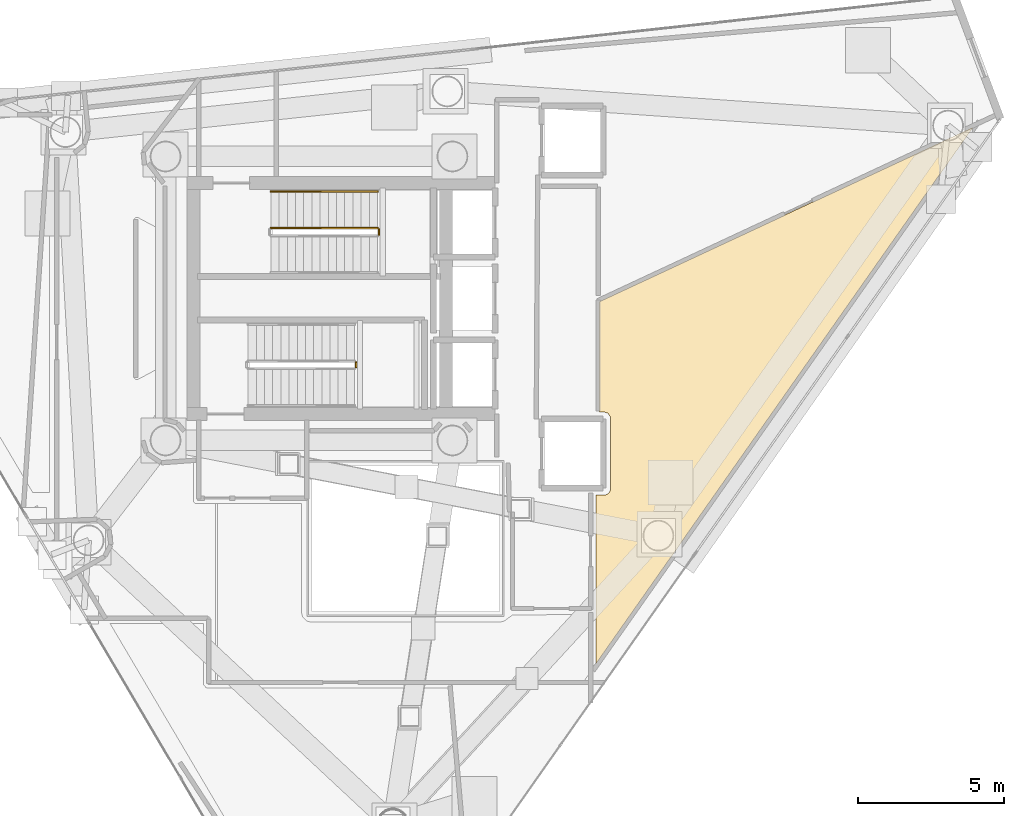
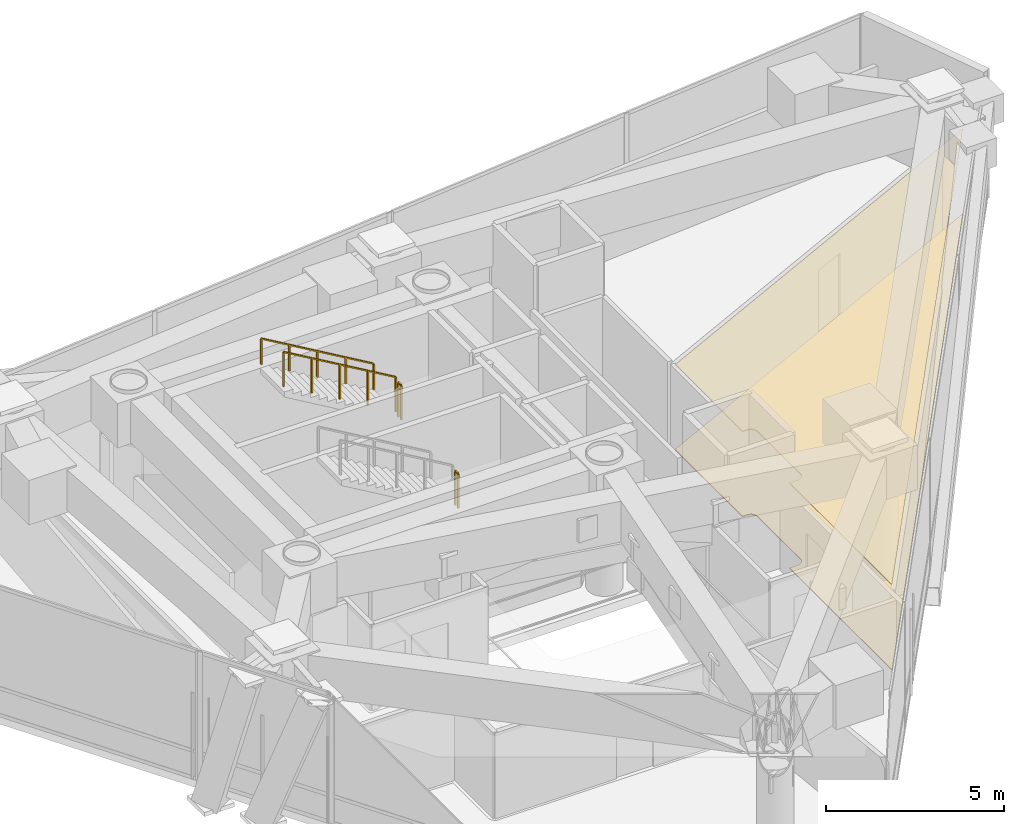
# One storey, part 21 of 21: 4 railings, 2 coverings.
"""IFC4 building model written with IfcOpenShell, lengths in metres."""

from ifc_helpers import new_model, si_unit, direction, frame, origin, origin_2d, place, context, subcontext, project, spatial, polyline, rectangle, outline, extrude, material, layer, layer_set, type_object, element, save


model = new_model("IFC4")

# Units and contexts
model_context = context("Model", 3, precision=1e-05, world=origin(), true_north=direction((0.0, 1.0)))
body_context = subcontext(model_context, "Body", "Model", "MODEL_VIEW")
ifc_project = project(units=[si_unit("LENGTHUNIT", "METRE"), si_unit("AREAUNIT", "SQUARE_METRE"), si_unit("VOLUMEUNIT", "CUBIC_METRE"), si_unit("PLANEANGLEUNIT", "RADIAN"), si_unit("MASSUNIT", "GRAM", prefix="KILO")], contexts=[model_context])

# Site, building, storey
site_placement = place(None, origin())
site = spatial("IfcSite", under=ifc_project, at=site_placement, CompositionType="ELEMENT")
building_placement = place(site_placement, origin())
building = spatial("IfcBuilding", under=site, at=building_placement, Name="Qianvela Tower", CompositionType="ELEMENT")
storey_placement = place(building_placement, frame((0.0, 0.0, 276.0)))
storey = spatial("IfcBuildingStorey", under=building, at=storey_placement, Name="L71", CompositionType="ELEMENT", Elevation=276.0)

# Coverings
ifc_material_1 = material(Name="Perforated Mineral Acoustic Ceiling Tile")
ifc_layer_1 = layer(ifc_material_1, 0.02490234375)
ifc_layer_set_1 = layer_set([ifc_layer_1], Name="Perforated Mineral Acoustic Ceiling Tile")
covering_type_1 = type_object("IfcCoveringType", Name="COV-CEIL-ACOUSTIC-25", PredefinedType="CEILING", material=ifc_layer_set_1)
covering_1_placement = place(storey_placement, frame((0.0, 0.0, 2.9150390625)))
element("IfcCovering", 1, at=covering_1_placement, inside=storey, type_object=covering_type_1, Name="L71 Acoustic Ceiling L71 Hydronic Heat Exchanger and Fire Pump Room", PredefinedType="CEILING", context=body_context, shape_type="SweptSolid", body=[
    extrude(outline(polyline([(43.309326171875, 21.980712890625), (43.60791015625, 21.982666015625), (43.615478515625, 21.983154296875), (43.623291015625, 21.984375), (43.630859375, 21.986083984375), (43.637939453125, 21.98876953125), (43.64501953125, 21.9921875), (43.716796875, 22.030517578125), (43.723388671875, 22.034423828125), (43.729736328125, 22.039306640625), (43.735595703125, 22.04443359375), (43.74072265625, 22.05029296875), (43.74560546875, 22.056640625), (43.74951171875, 22.063232421875), (43.787841796875, 22.135009765625), (43.791259765625, 22.14208984375), (43.7939453125, 22.1494140625), (43.7958984375, 22.156982421875), (43.796875, 22.164794921875), (43.79736328125, 22.1728515625), (43.7939453125, 24.640625), (43.79345703125, 24.649169921875), (43.792236328125, 24.65771484375), (43.789794921875, 24.665771484375), (43.786865234375, 24.673583984375), (43.782958984375, 24.68115234375), (43.7783203125, 24.688232421875), (43.721923828125, 24.76416015625), (43.71728515625, 24.769775390625), (43.71240234375, 24.77490234375), (43.706787109375, 24.779541015625), (43.70068359375, 24.78369140625), (43.694580078125, 24.78759765625), (43.68798828125, 24.79052734375), (43.680908203125, 24.79296875), (43.603271484375, 24.816650390625), (43.595703125, 24.818603515625), (43.587890625, 24.819580078125), (43.580078125, 24.820068359375), (43.424072265625, 24.820068359375), (43.426513671875, 24.826904296875), (43.428466796875, 24.83447265625), (43.4296875, 24.84228515625), (43.429931640625, 24.85009765625), (43.429931640625, 28.599609375), (56.183837890625, 34.546875), (43.31005859375, 16.220458984375), (43.309326171875, 21.980712890625)])), origin(), (0.0, 0.0, 1.0), 0.02490234375),
])
ifc_material_2 = material(Name="Honed Stone Terrazzo Flooring", Category="masonry")
ifc_layer_2 = layer(ifc_material_2, 0.030029296875)
ifc_layer_set_2 = layer_set([ifc_layer_2], Name="Honed Stone Terrazzo Flooring")
covering_type_2 = type_object("IfcCoveringType", Name="COV-FLOOR-TERRAZZO-30", PredefinedType="FLOORING", material=ifc_layer_set_2)
covering_2_placement = place(storey_placement, origin())
element("IfcCovering", 2, at=covering_2_placement, inside=storey, type_object=covering_type_2, Name="L71 Finish Flooring L71 Hydronic Heat Exchanger and Fire Pump Room", PredefinedType="FLOORING", context=body_context, shape_type="SweptSolid", body=[
    extrude(outline(polyline([(43.309326171875, 21.980712890625), (43.60791015625, 21.982666015625), (43.615478515625, 21.983154296875), (43.623291015625, 21.984375), (43.630859375, 21.986083984375), (43.637939453125, 21.98876953125), (43.64501953125, 21.9921875), (43.716796875, 22.030517578125), (43.723388671875, 22.034423828125), (43.729736328125, 22.039306640625), (43.735595703125, 22.04443359375), (43.74072265625, 22.05029296875), (43.74560546875, 22.056640625), (43.74951171875, 22.063232421875), (43.787841796875, 22.135009765625), (43.791259765625, 22.14208984375), (43.7939453125, 22.1494140625), (43.7958984375, 22.156982421875), (43.796875, 22.164794921875), (43.79736328125, 22.1728515625), (43.7939453125, 24.640625), (43.79345703125, 24.649169921875), (43.792236328125, 24.65771484375), (43.789794921875, 24.665771484375), (43.786865234375, 24.673583984375), (43.782958984375, 24.68115234375), (43.7783203125, 24.688232421875), (43.721923828125, 24.76416015625), (43.71728515625, 24.769775390625), (43.71240234375, 24.77490234375), (43.706787109375, 24.779541015625), (43.70068359375, 24.78369140625), (43.694580078125, 24.78759765625), (43.68798828125, 24.79052734375), (43.680908203125, 24.79296875), (43.603271484375, 24.816650390625), (43.595703125, 24.818603515625), (43.587890625, 24.819580078125), (43.580078125, 24.820068359375), (43.424072265625, 24.820068359375), (43.426513671875, 24.826904296875), (43.428466796875, 24.83447265625), (43.4296875, 24.84228515625), (43.429931640625, 24.85009765625), (43.429931640625, 28.599609375), (56.183837890625, 34.546875), (43.31005859375, 16.220458984375), (43.309326171875, 21.980712890625)])), origin(), (0.0, 0.0, 1.0), 0.030029296875),
])

# Railings
ifc_material_3 = material(Name="Painted Tubular Steel Q355B", Category="steel")
railing_type_1 = type_object("IfcRailingType", Name="RL-STAIR-GUARD-1200", PredefinedType="GUARDRAIL", material=ifc_material_3)
railing_1_placement = place(storey_placement, frame((35.889892578125, 30.889892578125, 2.300048828125)))
element("IfcRailing", 3, at=railing_1_placement, inside=storey, type_object=railing_type_1, Name="L71 ST-1 stair guard 2", PredefinedType="GUARDRAIL", context=body_context, shape_type="SweptSolid", body=[
    extrude(rectangle(XDim=0.050048828125, YDim=0.0400390625, at=origin_2d()), frame((0.0, 0.0, 1.179931640625), z_axis=(0.0, 1.0, 0.0), x_axis=(-1.0, 0.0, 0.0)), (0.0, 0.0, 1.0), 0.16015625),
    extrude(rectangle(XDim=0.050048828125, YDim=0.050048828125, at=origin_2d()), origin(), (0.0, 0.0, 1.0), 1.159912109375),
    extrude(rectangle(XDim=0.050048828125, YDim=0.050048828125, at=origin_2d()), frame((0.0, 0.16015625, 0.0)), (0.0, 0.0, 1.0), 1.159912109375),
])
railing_2_placement = place(storey_placement, frame((35.840087890625, 31.10009765625, 2.46435546875)))
element("IfcRailing", 4, at=railing_2_placement, inside=storey, type_object=railing_type_1, Name="L71 ST-1 stair guard 3", PredefinedType="GUARDRAIL", context=body_context, shape_type="SweptSolid", body=[
    extrude(rectangle(XDim=0.050048828125, YDim=0.0400390625, at=origin_2d()), frame((0.0, 0.0, 1.179931640625), z_axis=(-0.862504707072, 0.0, 0.506049039401), x_axis=(0.0, -1.0, 0.0)), (0.0, 0.0, 1.0), 4.220458984375),
    extrude(rectangle(XDim=0.050048828125, YDim=0.050048828125, at=origin_2d()), origin(), (0.0, 0.0, 1.0), 1.159912109375),
    extrude(rectangle(XDim=0.050048828125, YDim=0.050048828125, at=origin_2d()), frame((-0.91015625, 0.0, 0.533935546875)), (0.0, 0.0, 1.0), 1.159912109375),
    extrude(rectangle(XDim=0.050048828125, YDim=0.050048828125, at=origin_2d()), frame((-1.820068359375, 0.0, 1.06787109375)), (0.0, 0.0, 1.0), 1.159912109375),
    extrude(rectangle(XDim=0.050048828125, YDim=0.050048828125, at=origin_2d()), frame((-2.72998046875, 0.0, 1.601806640625)), (0.0, 0.0, 1.0), 1.159912109375),
    extrude(rectangle(XDim=0.050048828125, YDim=0.050048828125, at=origin_2d()), frame((-3.64013671875, 0.0, 2.1357421875)), (0.0, 0.0, 1.0), 1.159912109375),
])
railing_3_placement = place(storey_placement, frame((35.110107421875, 26.35009765625, 2.300048828125)))
element("IfcRailing", 5, at=railing_3_placement, inside=storey, type_object=railing_type_1, Name="L71 ST-2 stair guard 2", PredefinedType="GUARDRAIL", context=body_context, shape_type="SweptSolid", body=[
    extrude(rectangle(XDim=0.050048828125, YDim=0.0400390625, at=origin_2d()), frame((0.0, 0.0, 1.179931640625), z_axis=(0.0, 1.0, 0.0), x_axis=(-1.0, 0.0, 0.0)), (0.0, 0.0, 1.0), 0.159912109375),
    extrude(rectangle(XDim=0.050048828125, YDim=0.050048828125, at=origin_2d()), origin(), (0.0, 0.0, 1.0), 1.159912109375),
    extrude(rectangle(XDim=0.050048828125, YDim=0.050048828125, at=origin_2d()), frame((0.0, 0.159912109375, 0.0)), (0.0, 0.0, 1.0), 1.159912109375),
])
ifc_material_4 = material(Name="Brushed Stainless Steel 304", Category="steel")
railing_type_2 = type_object("IfcRailingType", Name="RL-STAIR-HANDRAIL-900", PredefinedType="HANDRAIL", material=ifc_material_4)
railing_4_placement = place(storey_placement, frame((35.840087890625, 32.35009765625, 2.46435546875)))
element("IfcRailing", 6, at=railing_4_placement, inside=storey, type_object=railing_type_2, Name="L71 ST-1 stair handrail 2", PredefinedType="HANDRAIL", context=body_context, shape_type="SweptSolid", body=[
    extrude(rectangle(XDim=0.050048828125, YDim=0.0400390625, at=origin_2d()), frame((0.0, 0.0, 0.8798828125), z_axis=(-0.862504707072, 0.0, 0.506049039401), x_axis=(0.0, -1.0, 0.0)), (0.0, 0.0, 1.0), 4.220458984375),
    extrude(rectangle(XDim=0.050048828125, YDim=0.050048828125, at=origin_2d()), origin(), (0.0, 0.0, 1.0), 0.85986328125),
    extrude(rectangle(XDim=0.050048828125, YDim=0.050048828125, at=origin_2d()), frame((-0.91015625, 0.0, 0.533935546875)), (0.0, 0.0, 1.0), 0.85986328125),
    extrude(rectangle(XDim=0.050048828125, YDim=0.050048828125, at=origin_2d()), frame((-1.820068359375, 0.0, 1.06787109375)), (0.0, 0.0, 1.0), 0.85986328125),
    extrude(rectangle(XDim=0.050048828125, YDim=0.050048828125, at=origin_2d()), frame((-2.72998046875, 0.0, 1.601806640625)), (0.0, 0.0, 1.0), 0.85986328125),
    extrude(rectangle(XDim=0.050048828125, YDim=0.050048828125, at=origin_2d()), frame((-3.64013671875, 0.0, 2.1357421875)), (0.0, 0.0, 1.0), 0.85986328125),
])

save(model, "model.ifc")
